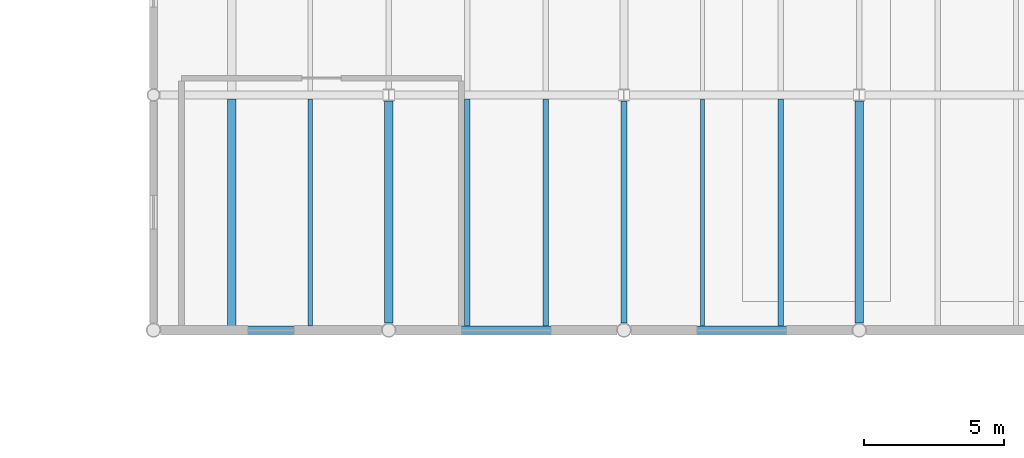
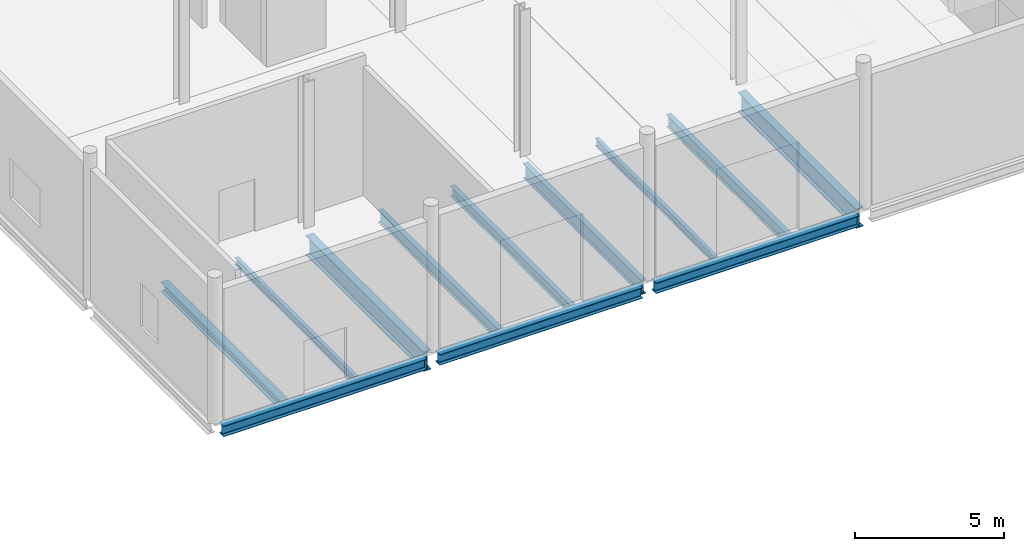
# One storey, part 17 of 85: 12 beams.
"""IFC4 building model written with IfcOpenShell, lengths in metres."""

import ifcopenshell
import ifcopenshell.guid

model = None  # the IFC model being written
_history = None  # IfcOwnerHistory: only IFC2X3 demands one
_inside = {}  # id of a spatial element -> (the spatial element, [elements in it])
_under = {}  # id of a project, library or spatial element -> (it, [spatial elements below it])
_declared = {}  # id of a project -> (the project, [libraries it declares])
_typed = {}  # id of a type object -> (the type object, [elements of that type])
_made_of = {}  # id of a material, layer set ... -> (it, [elements and type objects made of it])


def new_model(schema):
    """Start an empty IFC model of exactly this schema.

    Asked for "IFC4X3", IfcOpenShell would pick the latest addendum, in which some entities
    have other attributes; the version numbers below select the first issue.
    IFC2X3 requires an IfcOwnerHistory on every rooted entity: one is made here for all.
    """
    global model, _history
    if schema == "IFC4X3":
        model = ifcopenshell.file(schema_version=(4, 3, 0, 0))
    else:
        model = ifcopenshell.file(schema=schema)
    _inside.clear()
    _under.clear()
    _declared.clear()
    _typed.clear()
    _made_of.clear()
    _history = None
    if model.schema == "IFC2X3":
        org = make("IfcOrganization", Name="unknown")
        user = make(
            "IfcPersonAndOrganization",
            ThePerson=make("IfcPerson", FamilyName="unknown"),
            TheOrganization=org,
        )
        app = make(
            "IfcApplication",
            ApplicationDeveloper=org,
            Version="unknown",
            ApplicationFullName="unknown",
            ApplicationIdentifier="unknown",
        )
        _history = make(
            "IfcOwnerHistory",
            OwningUser=user,
            OwningApplication=app,
            ChangeAction="ADDED",
            CreationDate=0,
        )
    return model


def make(cls, **values):
    """One entity of the class cls with the attributes given. An attribute that is None is left unset."""
    return model.create_entity(
        cls, **{name: value for name, value in values.items() if value is not None}
    )


def rooted(cls, **values):
    """An entity with a GlobalId (a new one), such as an element, a storey or a relation."""
    return make(cls, GlobalId=ifcopenshell.guid.new(), OwnerHistory=_history, **values)


def si_unit(unit_type, name, prefix=None):
    """IfcSIUnit, for example si_unit("LENGTHUNIT", "METRE", prefix="MILLI")."""
    return make("IfcSIUnit", UnitType=unit_type, Prefix=prefix, Name=name)


def assignment(units):
    """IfcUnitAssignment: the units of a project."""
    return None if units is None else make("IfcUnitAssignment", Units=units)


def point(xyz):
    """IfcCartesianPoint."""
    return None if xyz is None else make("IfcCartesianPoint", Coordinates=xyz)


def direction(xyz):
    """IfcDirection."""
    return None if xyz is None else make("IfcDirection", DirectionRatios=xyz)


def frame(location, z_axis=None, x_axis=None):
    """IfcAxis2Placement3D, a coordinate frame: its origin and axes. An axis left out is left unset."""
    return make(
        "IfcAxis2Placement3D",
        Location=point(location),
        Axis=direction(z_axis),
        RefDirection=direction(x_axis),
    )


def frame_2d(location, x_axis=None):
    """IfcAxis2Placement2D, a coordinate frame in the plane: its origin and x axis."""
    return make(
        "IfcAxis2Placement2D", Location=point(location), RefDirection=direction(x_axis)
    )


def origin():
    """The frame at (0, 0, 0) with its axes left unset."""
    return frame((0.0, 0.0, 0.0))


def origin_2d():
    """The frame at (0, 0) in the plane with its x axis left unset."""
    return frame_2d((0.0, 0.0))


def place(relative_to, where):
    """IfcLocalPlacement: puts the frame where relative to a parent placement (None: the world)."""
    return make(
        "IfcLocalPlacement", PlacementRelTo=relative_to, RelativePlacement=where
    )


def context(
    kind, dimensions, precision=None, world=None, true_north=None, identifier=None
):
    """IfcGeometricRepresentationContext, for example the 3D "Model" context."""
    return make(
        "IfcGeometricRepresentationContext",
        ContextIdentifier=identifier,
        ContextType=kind,
        CoordinateSpaceDimension=dimensions,
        Precision=precision,
        WorldCoordinateSystem=world,
        TrueNorth=true_north,
    )


def subcontext(parent, identifier, kind, view, scale=None):
    """IfcGeometricRepresentationSubContext, for example "Body" below "Model"."""
    return make(
        "IfcGeometricRepresentationSubContext",
        ContextIdentifier=identifier,
        ContextType=kind,
        ParentContext=parent,
        TargetScale=scale,
        TargetView=view,
    )


def project(units=None, contexts=None):
    """IfcProject with its units and contexts."""
    return rooted(
        "IfcProject",
        Name="project",
        RepresentationContexts=contexts,
        UnitsInContext=assignment(units),
    )


def spatial(cls, under=None, at=None, **own):
    """A site, building, storey or space (cls), placed at a placement, below another one or the project."""
    s = rooted(cls, ObjectPlacement=at, **own)
    if under is not None:
        _under.setdefault(under.id(), (under, []))[1].append(s)
    return s


def profile(cls, at=None, kind="AREA", **sizes):
    """A parametric profile (cls). Its sizes go by their IFC names, for example OverallWidth=200.0."""
    return make(cls, ProfileType=kind, Position=at, **sizes)


def i_section(**sizes):
    """IfcIShapeProfileDef."""
    return profile("IfcIShapeProfileDef", **sizes)


def extrude(swept, where, along, depth):
    """IfcExtrudedAreaSolid: the profile swept, set in the frame where, extruded along a direction by depth."""
    return make(
        "IfcExtrudedAreaSolid",
        SweptArea=swept,
        Position=where,
        ExtrudedDirection=direction(along),
        Depth=depth,
    )


def shape(context_of_items, identifier, shape_type, items):
    """IfcShapeRepresentation: the items that make up one representation, for example the "Body"."""
    return make(
        "IfcShapeRepresentation",
        ContextOfItems=context_of_items,
        RepresentationIdentifier=identifier,
        RepresentationType=shape_type,
        Items=items,
    )


def material(Name=None, Category=None):
    """IfcMaterial."""
    return make("IfcMaterial", Name=Name, Category=Category)


def material_profile(
    of_material, cross_section, Name=None, Category=None, Priority=None
):
    """IfcMaterialProfile: a cross section and its material."""
    return make(
        "IfcMaterialProfile",
        Name=Name,
        Material=of_material,
        Profile=cross_section,
        Priority=Priority,
        Category=Category,
    )


def profile_set(profiles, Name=None, composite=None):
    """IfcMaterialProfileSet."""
    return make(
        "IfcMaterialProfileSet",
        Name=Name,
        MaterialProfiles=profiles,
        CompositeProfile=composite,
    )


def made_of(thing, what):
    """Note that an element or type object is made of a material, layer set ...; save() writes the relation."""
    if what is not None:
        _made_of.setdefault(what.id(), (what, []))[1].append(thing)
    return thing


def type_object(cls, material=None, **own):
    """A type object (cls), such as IfcWallType, which elements share."""
    return made_of(rooted(cls, **own), material)


def element(
    cls,
    number,
    at=None,
    inside=None,
    cuts=None,
    type_object=None,
    material=None,
    context=None,
    identifier="Body",
    shape_type=None,
    held_by="IfcProductDefinitionShape",
    body=None,
    shapes=None,
    **own,
):
    """One element of the class cls, such as IfcWall. Its Tag is "e" and its number.

    at: its placement. inside: the storey or other place that contains it. cuts: it is an
    opening in that element (IfcRelVoidsElement). A single representation is given by context,
    identifier, shape_type and body (its items); several are given by shapes. held_by: the class
    of the entity that holds the representations. save() writes the other relations.
    """
    e = rooted(cls, Tag="e%d" % number, ObjectPlacement=at, **own)
    if body is not None:
        shapes = [shape(context, identifier, shape_type, body)]
    if shapes is not None:
        e.Representation = make(held_by, Representations=shapes)
    if inside is not None:
        _inside.setdefault(inside.id(), (inside, []))[1].append(e)
    if cuts is not None:
        rooted(
            "IfcRelVoidsElement", RelatingBuildingElement=cuts, RelatedOpeningElement=e
        )
    if type_object is not None:
        _typed.setdefault(type_object.id(), (type_object, []))[1].append(e)
    return made_of(e, material)


def aggregate(whole, parts):
    """IfcRelAggregates: a whole, such as a stair, and the parts it consists of."""
    return rooted("IfcRelAggregates", RelatingObject=whole, RelatedObjects=parts)


def save(model, path):
    """Write the relations noted so far, then the file.

    IfcRelAggregates (storeys below a building ...), IfcRelContainedInSpatialStructure (elements
    in a storey), IfcRelDefinesByType, IfcRelAssociatesMaterial and IfcRelDeclares: one each for
    every whole, place, type object, material and project.
    """
    for whole, parts in _under.values():
        aggregate(whole, parts)
    for where, things in _inside.values():
        rooted(
            "IfcRelContainedInSpatialStructure",
            RelatedElements=things,
            RelatingStructure=where,
        )
    for kind, things in _typed.values():
        rooted("IfcRelDefinesByType", RelatedObjects=things, RelatingType=kind)
    for what, things in _made_of.values():
        rooted("IfcRelAssociatesMaterial", RelatedObjects=things, RelatingMaterial=what)
    for by, libraries in _declared.values():
        rooted("IfcRelDeclares", RelatingContext=by, RelatedDefinitions=libraries)
    model.write(path)


model = new_model("IFC4")

# Units and contexts
model_context = context("Model", 3, precision=1e-05, world=origin(), true_north=direction((0.0, 1.0)))
body_context = subcontext(model_context, "Body", "Model", "MODEL_VIEW")
ifc_project = project(units=[si_unit("LENGTHUNIT", "METRE"), si_unit("AREAUNIT", "SQUARE_METRE"), si_unit("VOLUMEUNIT", "CUBIC_METRE"), si_unit("PLANEANGLEUNIT", "RADIAN"), si_unit("MASSUNIT", "GRAM", prefix="KILO"), si_unit("THERMODYNAMICTEMPERATUREUNIT", "KELVIN")], contexts=[model_context])

# Site, building, storey
site_placement = place(None, origin())
site = spatial("IfcSite", under=ifc_project, at=site_placement, CompositionType="ELEMENT")
building_placement = place(site_placement, origin())
building = spatial("IfcBuilding", under=site, at=building_placement, Name="Lustrewick Department Store", CompositionType="ELEMENT")
storey_placement = place(building_placement, origin())
storey = spatial("IfcBuildingStorey", under=building, at=storey_placement, Name="L01", CompositionType="ELEMENT", Elevation=0.0)

# Beams
ifc_material = material(Name="Structural steel Q355B", Category="steel")
ifc_material_profile_1 = material_profile(ifc_material, i_section(OverallWidth=0.198974609375, OverallDepth=0.49609375, WebThickness=0.009033203125, FlangeThickness=0.013916015625, FilletRadius=0.01611328125, at=origin_2d()), Name="HN 496x199x9x14")
ifc_profile_set_1 = profile_set([ifc_material_profile_1], Name="Structural steel Q355B")
beam_type_1 = type_object("IfcBeamType", Name="B02", PredefinedType="JOIST", material=ifc_profile_set_1)
for number, where, z_axis, x_axis, name in (
    (1, (78.39990234375, 25.35009765625, -0.51806640625), (0.0, 1.0, 0.0), (-1.0, 0.0, 0.0), "L01 V2 Secondary Joist B02"),
    (2, (89.60009765625, 25.35009765625, -0.51806640625), (0.0, 1.0, 0.0), (-1.0, 0.0, 0.0), "L01 V2 Secondary Joist B02"),
):
    element("IfcBeam", number, at=place(storey_placement, frame(where, z_axis=z_axis, x_axis=x_axis)), inside=storey, type_object=beam_type_1, Name=name, PredefinedType="JOIST", context=body_context, shape_type="SweptSolid", body=[
        extrude(i_section(OverallWidth=0.198974609375, OverallDepth=0.49609375, WebThickness=0.009033203125, FlangeThickness=0.013916015625, FilletRadius=0.01611328125, at=origin_2d()), origin(), (0.0, 0.0, 1.0), 8.099853515625),
    ])
ifc_material_profile_2 = material_profile(ifc_material, i_section(OverallWidth=0.198974609375, OverallDepth=0.39599609375, WebThickness=0.007080078125, FlangeThickness=0.010986328125, FilletRadius=0.013916015625, at=origin_2d()), Name="HN 396x199x7x11")
ifc_profile_set_2 = profile_set([ifc_material_profile_2], Name="Structural steel Q355B")
beam_type_2 = type_object("IfcBeamType", Name="B06", PredefinedType="JOIST", material=ifc_profile_set_2)
beam_1_placement = place(storey_placement, frame((81.199951171875, 25.35009765625, -0.468017578125), z_axis=(0.0, 1.0, 0.0), x_axis=(-1.0, 0.0, 0.0)))
element("IfcBeam", 3, at=beam_1_placement, inside=storey, type_object=beam_type_2, Name="L01 V2 Secondary Joist B06", PredefinedType="JOIST", context=body_context, shape_type="SweptSolid", body=[
    extrude(i_section(OverallWidth=0.198974609375, OverallDepth=0.39599609375, WebThickness=0.007080078125, FlangeThickness=0.010986328125, FilletRadius=0.013916015625, at=origin_2d()), origin(), (0.0, 0.0, 1.0), 8.099853515625),
])
ifc_material_profile_3 = material_profile(ifc_material, i_section(OverallWidth=0.300048828125, OverallDepth=0.389892578125, WebThickness=0.010009765625, FlangeThickness=0.01611328125, FilletRadius=0.01806640625, at=origin_2d()), Name="HM 390x300x10x16")
ifc_profile_set_3 = profile_set([ifc_material_profile_3], Name="Structural steel Q355B")
beam_type_3 = type_object("IfcBeamType", Name="B07", PredefinedType="JOIST", material=ifc_profile_set_3)
beam_2_placement = place(storey_placement, frame((70.0, 25.35009765625, -0.465087890625), z_axis=(0.0, 1.0, 0.0), x_axis=(-1.0, 0.0, 0.0)))
element("IfcBeam", 4, at=beam_2_placement, inside=storey, type_object=beam_type_3, Name="L01 V2 Secondary Joist B07", PredefinedType="JOIST", context=body_context, shape_type="SweptSolid", body=[
    extrude(i_section(OverallWidth=0.300048828125, OverallDepth=0.389892578125, WebThickness=0.010009765625, FlangeThickness=0.01611328125, FilletRadius=0.01806640625, at=origin_2d()), origin(), (0.0, 0.0, 1.0), 8.099853515625),
])
ifc_material_profile_4 = material_profile(ifc_material, i_section(OverallWidth=0.14990234375, OverallDepth=0.300048828125, WebThickness=0.006591796875, FlangeThickness=0.009033203125, FilletRadius=0.011962890625, at=origin_2d()), Name="HN 300x150x6.5x9")
ifc_profile_set_4 = profile_set([ifc_material_profile_4], Name="Structural steel Q355B")
beam_type_4 = type_object("IfcBeamType", Name="B11", PredefinedType="JOIST", material=ifc_profile_set_4)
for number, where, z_axis, x_axis, name in (
    (5, (72.800048828125, 25.35009765625, -0.419921875), (0.0, 1.0, 0.0), (-1.0, 0.0, 0.0), "L01 V2 Secondary Joist B11"),
    (6, (86.800048828125, 25.35009765625, -0.419921875), (0.0, 1.0, 0.0), (-1.0, 0.0, 0.0), "L01 V2 Secondary Joist B11"),
):
    element("IfcBeam", number, at=place(storey_placement, frame(where, z_axis=z_axis, x_axis=x_axis)), inside=storey, type_object=beam_type_4, Name=name, PredefinedType="JOIST", context=body_context, shape_type="SweptSolid", body=[
        extrude(i_section(OverallWidth=0.14990234375, OverallDepth=0.300048828125, WebThickness=0.006591796875, FlangeThickness=0.009033203125, FilletRadius=0.011962890625, at=origin_2d()), origin(), (0.0, 0.0, 1.0), 8.099853515625),
    ])
ifc_material_profile_5 = material_profile(ifc_material, i_section(OverallWidth=0.300048828125, OverallDepth=0.800048828125, WebThickness=0.013916015625, FlangeThickness=0.02587890625, FilletRadius=0.02197265625, at=origin_2d()), Name="HN 800x300x14x26")
ifc_profile_set_5 = profile_set([ifc_material_profile_5], Name="Structural steel Q355B")
beam_type_5 = type_object("IfcBeamType", Name="G05", PredefinedType="BEAM", material=ifc_profile_set_5)
for number, where, z_axis, x_axis, name in (
    (7, (75.60009765625, 25.4541015625, -0.669921875), (0.0, 1.0, 0.0), (-1.0, 0.0, 0.0), "L01 V2 Girder G05"),
    (8, (92.39990234375, 25.4541015625, -0.669921875), (0.0, 1.0, 0.0), (-1.0, 0.0, 0.0), "L01 V2 Girder G05"),
):
    element("IfcBeam", number, at=place(storey_placement, frame(where, z_axis=z_axis, x_axis=x_axis)), inside=storey, type_object=beam_type_5, Name=name, PredefinedType="BEAM", context=body_context, shape_type="SweptSolid", body=[
        extrude(i_section(OverallWidth=0.300048828125, OverallDepth=0.800048828125, WebThickness=0.013916015625, FlangeThickness=0.02587890625, FilletRadius=0.02197265625, at=origin_2d()), origin(), (0.0, 0.0, 1.0), 7.931884765625),
    ])
ifc_material_profile_6 = material_profile(ifc_material, i_section(OverallWidth=0.200927734375, OverallDepth=0.60595703125, WebThickness=0.011962890625, FlangeThickness=0.02001953125, FilletRadius=0.01806640625, at=origin_2d()), Name="HN 606x201x12x20")
ifc_profile_set_6 = profile_set([ifc_material_profile_6], Name="Structural steel Q355B")
beam_type_6 = type_object("IfcBeamType", Name="G13", PredefinedType="BEAM", material=ifc_profile_set_6)
beam_3_placement = place(storey_placement, frame((84.0, 25.4541015625, -0.572998046875), z_axis=(0.0, 1.0, 0.0), x_axis=(-1.0, 0.0, 0.0)))
element("IfcBeam", 9, at=beam_3_placement, inside=storey, type_object=beam_type_6, Name="L01 V2 Girder G13", PredefinedType="BEAM", context=body_context, shape_type="SweptSolid", body=[
    extrude(i_section(OverallWidth=0.200927734375, OverallDepth=0.60595703125, WebThickness=0.011962890625, FlangeThickness=0.02001953125, FilletRadius=0.01806640625, at=origin_2d()), origin(), (0.0, 0.0, 1.0), 7.931884765625),
])
ifc_material_profile_7 = material_profile(ifc_material, i_section(OverallWidth=0.300048828125, OverallDepth=0.43994140625, WebThickness=0.010986328125, FlangeThickness=0.01806640625, FilletRadius=0.02001953125, at=origin_2d()), Name="HM 440x300x11x18")
ifc_profile_set_7 = profile_set([ifc_material_profile_7], Name="Structural steel Q355B")
beam_type_7 = type_object("IfcBeamType", Name="SP02", PredefinedType="SPANDREL", material=ifc_profile_set_7)
beam_4_placement = place(storey_placement, frame((67.4541015625, 25.199951171875, -0.489990234375), z_axis=(1.0, 0.0, 0.0), x_axis=(0.0, 1.0, 0.0)))
element("IfcBeam", 10, at=beam_4_placement, inside=storey, type_object=beam_type_7, Name="L01 V2 Girder SP02", PredefinedType="SPANDREL", context=body_context, shape_type="SweptSolid", body=[
    extrude(i_section(OverallWidth=0.300048828125, OverallDepth=0.43994140625, WebThickness=0.010986328125, FlangeThickness=0.01806640625, FilletRadius=0.02001953125, at=origin_2d()), origin(), (0.0, 0.0, 1.0), 7.891845703125),
])
for number, where, z_axis, x_axis, name in (
    (11, (75.85400390625, 25.199951171875, -0.489990234375), (1.0, 0.0, 0.0), (0.0, 1.0, 0.0), "L01 V2 Girder SP02"),
    (12, (84.25390625, 25.199951171875, -0.489990234375), (1.0, 0.0, 0.0), (0.0, 1.0, 0.0), "L01 V2 Girder SP02"),
):
    element("IfcBeam", number, at=place(storey_placement, frame(where, z_axis=z_axis, x_axis=x_axis)), inside=storey, type_object=beam_type_7, Name=name, PredefinedType="SPANDREL", context=body_context, shape_type="SweptSolid", body=[
        extrude(i_section(OverallWidth=0.300048828125, OverallDepth=0.43994140625, WebThickness=0.010986328125, FlangeThickness=0.01806640625, FilletRadius=0.02001953125, at=origin_2d()), origin(), (0.0, 0.0, 1.0), 7.89208984375),
    ])

save(model, "model.ifc")
